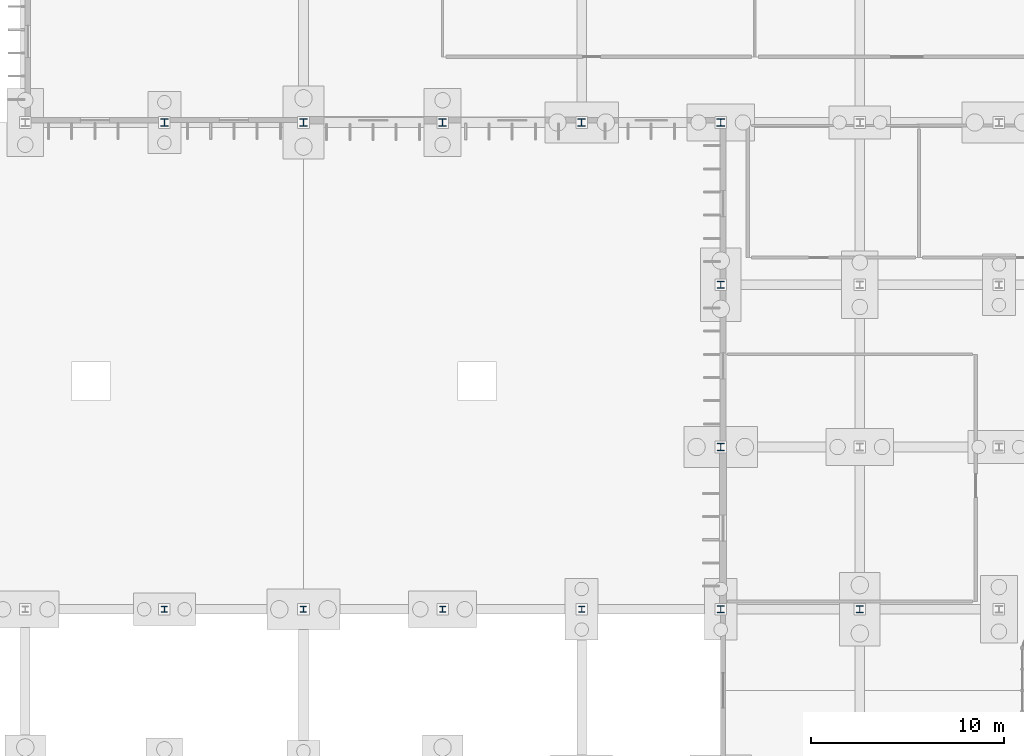
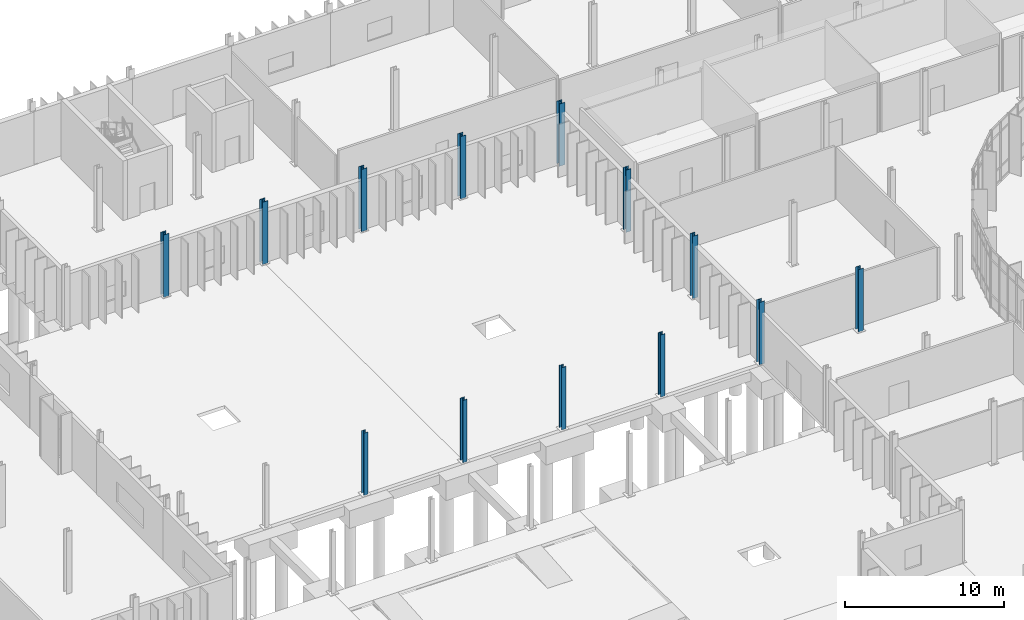
# One storey, part 21 of 118: 13 columns.
"""IFC4 building model written with IfcOpenShell, lengths in metres."""

from ifc_helpers import new_model, si_unit, direction, frame, origin, origin_2d, place, context, subcontext, project, spatial, i_section, extrude, material, material_profile, profile_set, type_object, element, save


model = new_model("IFC4")

# Units and contexts
model_context = context("Model", 3, precision=1e-05, world=origin(), true_north=direction((0.0, 1.0)))
body_context = subcontext(model_context, "Body", "Model", "MODEL_VIEW")
ifc_project = project(units=[si_unit("LENGTHUNIT", "METRE"), si_unit("AREAUNIT", "SQUARE_METRE"), si_unit("VOLUMEUNIT", "CUBIC_METRE"), si_unit("PLANEANGLEUNIT", "RADIAN"), si_unit("MASSUNIT", "GRAM", prefix="KILO")], contexts=[model_context])

# Site, building, storey
site_placement = place(None, origin())
site = spatial("IfcSite", under=ifc_project, at=site_placement, CompositionType="ELEMENT")
building_placement = place(site_placement, origin())
building = spatial("IfcBuilding", under=site, at=building_placement, Name="Qelthora Terrace Specialist Clinic", CompositionType="ELEMENT")
storey_placement = place(building_placement, origin())
storey = spatial("IfcBuildingStorey", under=building, at=storey_placement, Name="L00", CompositionType="ELEMENT", Elevation=0.0)

# Columns
ifc_material = material(Name="Steel S355", Category="steel")
ifc_material_profile_1 = material_profile(ifc_material, i_section(OverallWidth=0.30810546875, OverallDepth=0.318115234375, WebThickness=0.01318359375, FlangeThickness=0.0205078125, FilletRadius=0.01611328125, at=origin_2d()), Name="W310X129")
ifc_profile_set_1 = profile_set([ifc_material_profile_1], Name="Steel S355")
column_type_1 = type_object("IfcColumnType", Name="COL-W310X129", PredefinedType="COLUMN", material=ifc_profile_set_1)
column_1_placement = place(storey_placement, frame((86.39990234375, 67.199951171875, 0.0), z_axis=(0.0, 0.0, 1.0), x_axis=(1.0, 0.0, 0.0)))
element("IfcColumn", 1, at=column_1_placement, inside=storey, type_object=column_type_1, Name="Column L00-143", PredefinedType="COLUMN", context=body_context, shape_type="SweptSolid", body=[
    extrude(i_section(OverallWidth=0.30810546875, OverallDepth=0.318115234375, WebThickness=0.01318359375, FlangeThickness=0.0205078125, FilletRadius=0.01611328125, at=origin_2d()), origin(), (0.0, 0.0, 1.0), 4.800048828125),
])
ifc_material_profile_2 = material_profile(ifc_material, i_section(OverallWidth=0.30908203125, OverallDepth=0.322998046875, WebThickness=0.013916015625, FlangeThickness=0.02294921875, FilletRadius=0.01611328125, at=origin_2d()), Name="W310X143")
ifc_profile_set_2 = profile_set([ifc_material_profile_2], Name="Steel S355")
column_type_2 = type_object("IfcColumnType", Name="COL-W310X143", PredefinedType="COLUMN", material=ifc_profile_set_2)
for number, where, z_axis, x_axis, name in (
    (2, (64.800048828125, 67.199951171875, 0.0), (0.0, 0.0, 1.0), (1.0, 0.0, 0.0), "Column L00-118"),
    (3, (72.0, 67.199951171875, 0.0), (0.0, 0.0, 1.0), (1.0, 0.0, 0.0), "Column L00-126"),
    (4, (79.199951171875, 67.199951171875, 0.0), (0.0, 0.0, 1.0), (1.0, 0.0, 0.0), "Column L00-134"),
):
    element("IfcColumn", number, at=place(storey_placement, frame(where, z_axis=z_axis, x_axis=x_axis)), inside=storey, type_object=column_type_2, Name=name, PredefinedType="COLUMN", context=body_context, shape_type="SweptSolid", body=[
        extrude(i_section(OverallWidth=0.30908203125, OverallDepth=0.322998046875, WebThickness=0.013916015625, FlangeThickness=0.02294921875, FilletRadius=0.01611328125, at=origin_2d()), origin(), (0.0, 0.0, 1.0), 4.800048828125),
    ])
ifc_material_profile_3 = material_profile(ifc_material, i_section(OverallWidth=0.37109375, OverallDepth=0.364013671875, WebThickness=0.01318359375, FlangeThickness=0.021728515625, FilletRadius=0.02001953125, at=origin_2d()), Name="W360X162")
ifc_profile_set_3 = profile_set([ifc_material_profile_3], Name="Steel S355")
column_type_3 = type_object("IfcColumnType", Name="COL-W360X162", PredefinedType="COLUMN", material=ifc_profile_set_3)
column_2_placement = place(storey_placement, frame((93.60009765625, 67.199951171875, 0.0), z_axis=(0.0, 0.0, 1.0), x_axis=(1.0, 0.0, 0.0)))
element("IfcColumn", 5, at=column_2_placement, inside=storey, type_object=column_type_3, Name="Column L00-155", PredefinedType="COLUMN", context=body_context, shape_type="SweptSolid", body=[
    extrude(i_section(OverallWidth=0.37109375, OverallDepth=0.364013671875, WebThickness=0.01318359375, FlangeThickness=0.021728515625, FilletRadius=0.02001953125, at=origin_2d()), origin(), (0.0, 0.0, 1.0), 4.800048828125),
])
ifc_material_profile_4 = material_profile(ifc_material, i_section(OverallWidth=0.373046875, OverallDepth=0.367919921875, WebThickness=0.014892578125, FlangeThickness=0.02392578125, FilletRadius=0.02001953125, at=origin_2d()), Name="W360X179")
ifc_profile_set_4 = profile_set([ifc_material_profile_4], Name="Steel S355")
column_type_4 = type_object("IfcColumnType", Name="COL-W360X179", PredefinedType="COLUMN", material=ifc_profile_set_4)
for number, where, z_axis, x_axis, name in (
    (6, (93.60009765625, 84.0, 0.0), (0.0, 0.0, 1.0), (1.0, 0.0, 0.0), "Column L00-157"),
    (7, (100.800048828125, 67.199951171875, 0.0), (0.0, 0.0, 1.0), (1.0, 0.0, 0.0), "Column L00-169"),
):
    element("IfcColumn", number, at=place(storey_placement, frame(where, z_axis=z_axis, x_axis=x_axis)), inside=storey, type_object=column_type_4, Name=name, PredefinedType="COLUMN", context=body_context, shape_type="SweptSolid", body=[
        extrude(i_section(OverallWidth=0.373046875, OverallDepth=0.367919921875, WebThickness=0.014892578125, FlangeThickness=0.02392578125, FilletRadius=0.02001953125, at=origin_2d()), origin(), (0.0, 0.0, 1.0), 4.800048828125),
    ])
ifc_material_profile_5 = material_profile(ifc_material, i_section(OverallWidth=0.3740234375, OverallDepth=0.3720703125, WebThickness=0.016357421875, FlangeThickness=0.026123046875, FilletRadius=0.02001953125, at=origin_2d()), Name="W360X196")
ifc_profile_set_5 = profile_set([ifc_material_profile_5], Name="Steel S355")
column_type_5 = type_object("IfcColumnType", Name="COL-W360X196", PredefinedType="COLUMN", material=ifc_profile_set_5)
column_3_placement = place(storey_placement, frame((93.60009765625, 75.60009765625, 0.0), z_axis=(0.0, 0.0, 1.0), x_axis=(1.0, 0.0, 0.0)))
element("IfcColumn", 8, at=column_3_placement, inside=storey, type_object=column_type_5, Name="Column L00-156", PredefinedType="COLUMN", context=body_context, shape_type="SweptSolid", body=[
    extrude(i_section(OverallWidth=0.3740234375, OverallDepth=0.3720703125, WebThickness=0.016357421875, FlangeThickness=0.026123046875, FilletRadius=0.02001953125, at=origin_2d()), origin(), (0.0, 0.0, 1.0), 4.800048828125),
])
ifc_material_profile_6 = material_profile(ifc_material, i_section(OverallWidth=0.39404296875, OverallDepth=0.375, WebThickness=0.017333984375, FlangeThickness=0.027587890625, FilletRadius=0.02001953125, at=origin_2d()), Name="W360X216")
ifc_profile_set_6 = profile_set([ifc_material_profile_6], Name="Steel S355")
column_type_6 = type_object("IfcColumnType", Name="COL-W360X216", PredefinedType="COLUMN", material=ifc_profile_set_6)
for number, where, z_axis, x_axis, name in (
    (9, (64.800048828125, 92.39990234375, 0.0), (0.0, 0.0, 1.0), (1.0, 0.0, 0.0), "Column L00-119"),
    (10, (72.0, 92.39990234375, 0.0), (0.0, 0.0, 1.0), (1.0, 0.0, 0.0), "Column L00-127"),
    (11, (79.199951171875, 92.39990234375, 0.0), (0.0, 0.0, 1.0), (1.0, 0.0, 0.0), "Column L00-135"),
):
    element("IfcColumn", number, at=place(storey_placement, frame(where, z_axis=z_axis, x_axis=x_axis)), inside=storey, type_object=column_type_6, Name=name, PredefinedType="COLUMN", context=body_context, shape_type="SweptSolid", body=[
        extrude(i_section(OverallWidth=0.39404296875, OverallDepth=0.375, WebThickness=0.017333984375, FlangeThickness=0.027587890625, FilletRadius=0.02001953125, at=origin_2d()), origin(), (0.0, 0.0, 1.0), 4.800048828125),
    ])
ifc_material_profile_7 = material_profile(ifc_material, i_section(OverallWidth=0.39501953125, OverallDepth=0.3798828125, WebThickness=0.018798828125, FlangeThickness=0.0302734375, FilletRadius=0.02001953125, at=origin_2d()), Name="W360X237")
ifc_profile_set_7 = profile_set([ifc_material_profile_7], Name="Steel S355")
column_type_7 = type_object("IfcColumnType", Name="COL-W360X237", PredefinedType="COLUMN", material=ifc_profile_set_7)
for number, where, z_axis, x_axis, name in (
    (12, (86.39990234375, 92.39990234375, 0.0), (0.0, 0.0, 1.0), (1.0, 0.0, 0.0), "Column L00-144"),
    (13, (93.60009765625, 92.39990234375, 0.0), (0.0, 0.0, 1.0), (1.0, 0.0, 0.0), "Column L00-158"),
):
    element("IfcColumn", number, at=place(storey_placement, frame(where, z_axis=z_axis, x_axis=x_axis)), inside=storey, type_object=column_type_7, Name=name, PredefinedType="COLUMN", context=body_context, shape_type="SweptSolid", body=[
        extrude(i_section(OverallWidth=0.39501953125, OverallDepth=0.3798828125, WebThickness=0.018798828125, FlangeThickness=0.0302734375, FilletRadius=0.02001953125, at=origin_2d()), origin(), (0.0, 0.0, 1.0), 4.800048828125),
    ])

save(model, "model.ifc")
